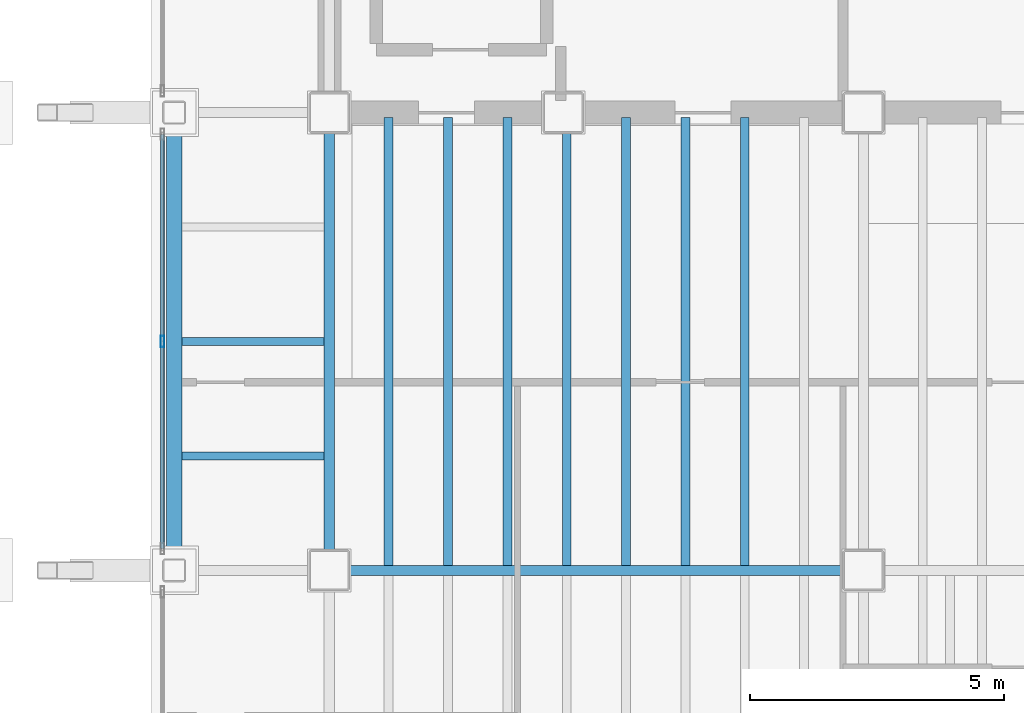
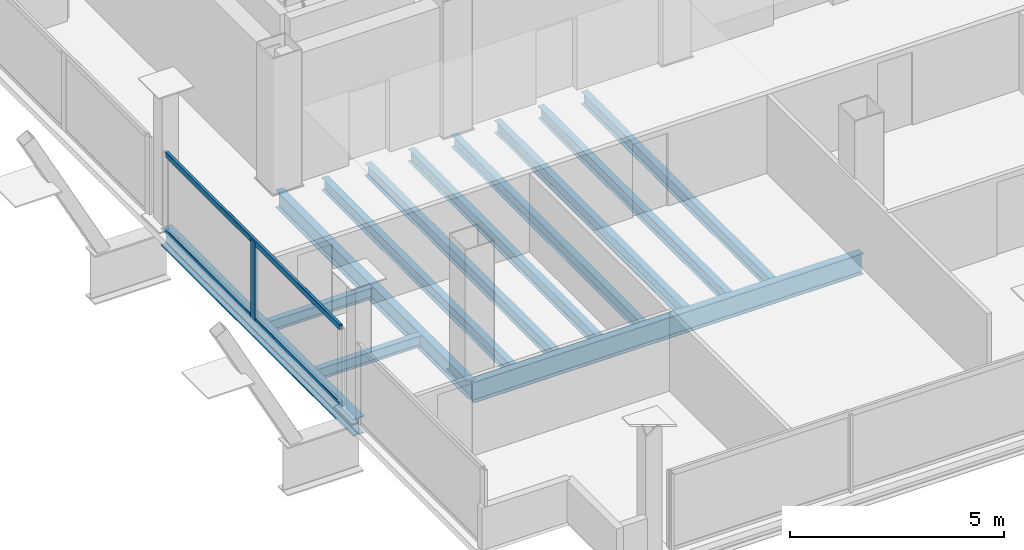
# One storey, part 3 of 17: 12 beams, 3 members, 1 element without a shape of its own.
"""IFC4 building model written with IfcOpenShell, lengths in metres."""

from ifc_helpers import new_model, si_unit, direction, frame, origin, origin_2d, place, context, subcontext, project, spatial, hollow_rectangle, i_section, extrude, material, material_profile, profile_set, type_object, element, aggregate, save


model = new_model("IFC4")

# Units and contexts
model_context = context("Model", 3, precision=1e-05, world=origin(), true_north=direction((0.0, 1.0)))
body_context = subcontext(model_context, "Body", "Model", "MODEL_VIEW")
ifc_project = project(units=[si_unit("LENGTHUNIT", "METRE"), si_unit("AREAUNIT", "SQUARE_METRE"), si_unit("VOLUMEUNIT", "CUBIC_METRE"), si_unit("PLANEANGLEUNIT", "RADIAN"), si_unit("MASSUNIT", "GRAM", prefix="KILO")], contexts=[model_context])

# Site, building, storey
site_placement = place(None, origin())
site = spatial("IfcSite", under=ifc_project, at=site_placement, CompositionType="ELEMENT")
building_placement = place(site_placement, origin())
building = spatial("IfcBuilding", under=site, at=building_placement, Name="Noeulbin Bourse Tower", CompositionType="ELEMENT")
storey_placement = place(building_placement, frame((0.0, 0.0, 226.699951171875)))
storey = spatial("IfcBuildingStorey", under=building, at=storey_placement, Name="L56", CompositionType="ELEMENT", Elevation=226.699951171875)

# Beams
ifc_material_1 = material(Name="Steel S355", Category="steel")
ifc_material_profile_1 = material_profile(ifc_material_1, i_section(OverallWidth=0.199951171875, OverallDepth=0.5, WebThickness=0.010009765625, FlangeThickness=0.01611328125, FilletRadius=0.02001953125, at=origin_2d()), Name="H-500x200x10x16", Category="LoadBearing")
ifc_profile_set_1 = profile_set([ifc_material_profile_1], Name="Steel S355")
beam_type_1 = type_object("IfcBeamType", Name="BM-GRD-500", PredefinedType="USERDEFINED", material=ifc_profile_set_1)
beam_1_placement = place(storey_placement, frame((13.5, 20.0, -0.429931640625), z_axis=(0.0, 1.0, 0.0), x_axis=(-1.0, 0.0, 0.0)))
element("IfcBeam", 1, at=beam_1_placement, inside=storey, type_object=beam_type_1, Name="Tower Primary Girder NS L56-1.2", ObjectType="GIRDER", PredefinedType="USERDEFINED", context=body_context, shape_type="SweptSolid", body=[
    extrude(i_section(OverallWidth=0.199951171875, OverallDepth=0.5, WebThickness=0.010009765625, FlangeThickness=0.01611328125, FilletRadius=0.02001953125, at=origin_2d()), origin(), (0.0, 0.0, 1.0), 9.0),
])
ifc_material_profile_2 = material_profile(ifc_material_1, i_section(OverallWidth=0.199951171875, OverallDepth=0.60009765625, WebThickness=0.010986328125, FlangeThickness=0.01708984375, FilletRadius=0.02197265625, at=origin_2d()), Name="H-600x200x11x17", Category="LoadBearing")
ifc_profile_set_2 = profile_set([ifc_material_profile_2], Name="Steel S355")
beam_type_2 = type_object("IfcBeamType", Name="BM-GRD-600", PredefinedType="USERDEFINED", material=ifc_profile_set_2)
beam_2_placement = place(storey_placement, frame((13.5, 20.0, -0.47998046875), z_axis=(1.0, 0.0, 0.0), x_axis=(0.0, 1.0, 0.0)))
element("IfcBeam", 2, at=beam_2_placement, inside=storey, type_object=beam_type_2, Name="Tower Primary Girder EW L56-1.2", ObjectType="GIRDER", PredefinedType="USERDEFINED", context=body_context, shape_type="SweptSolid", body=[
    extrude(i_section(OverallWidth=0.199951171875, OverallDepth=0.60009765625, WebThickness=0.010986328125, FlangeThickness=0.01708984375, FilletRadius=0.02197265625, at=origin_2d()), origin(), (0.0, 0.0, 1.0), 10.5),
])
ifc_material_profile_3 = material_profile(ifc_material_1, i_section(OverallWidth=0.159912109375, OverallDepth=0.320068359375, WebThickness=0.006591796875, FlangeThickness=0.010009765625, FilletRadius=0.012939453125, at=origin_2d()), Name="H-320x160x6.5x10", Category="LoadBearing")
ifc_profile_set_3 = profile_set([ifc_material_profile_3], Name="Steel S355")
beam_type_3 = type_object("IfcBeamType", Name="BM-JST-320", PredefinedType="JOIST", material=ifc_profile_set_3)
for number, where, z_axis, x_axis, name in (
    (3, (10.60009765625, 22.25, -0.33984375), (1.0, 0.0, 0.0), (0.0, 1.0, 0.0), "Wing Composite Joist L56-W47"),
    (4, (10.60009765625, 24.5, -0.33984375), (1.0, 0.0, 0.0), (0.0, 1.0, 0.0), "Wing Composite Joist L56-W48"),
):
    element("IfcBeam", number, at=place(storey_placement, frame(where, z_axis=z_axis, x_axis=x_axis)), inside=storey, type_object=beam_type_3, Name=name, PredefinedType="JOIST", context=body_context, shape_type="SweptSolid", body=[
        extrude(i_section(OverallWidth=0.159912109375, OverallDepth=0.320068359375, WebThickness=0.006591796875, FlangeThickness=0.010009765625, FilletRadius=0.012939453125, at=origin_2d()), origin(), (0.0, 0.0, 1.0), 2.7998046875),
    ])
ifc_material_profile_4 = material_profile(ifc_material_1, i_section(OverallWidth=0.175048828125, OverallDepth=0.35009765625, WebThickness=0.007080078125, FlangeThickness=0.010986328125, FilletRadius=0.013916015625, at=origin_2d()), Name="H-350x175x7x11", Category="LoadBearing")
ifc_profile_set_4 = profile_set([ifc_material_profile_4], Name="Steel S355")
beam_type_4 = type_object("IfcBeamType", Name="BM-JST-350", PredefinedType="JOIST", material=ifc_profile_set_4)
for number, where, z_axis, x_axis, name in (
    (5, (14.666748046875, 20.10009765625, -0.35498046875), (0.0, 1.0, 0.0), (-1.0, 0.0, 0.0), "Tower Composite Joist L56-02"),
    (6, (15.833251953125, 20.10009765625, -0.35498046875), (0.0, 1.0, 0.0), (-1.0, 0.0, 0.0), "Tower Composite Joist L56-04"),
    (7, (17.0, 20.10009765625, -0.35498046875), (0.0, 1.0, 0.0), (-1.0, 0.0, 0.0), "Tower Composite Joist L56-06"),
    (8, (18.166748046875, 20.10009765625, -0.35498046875), (0.0, 1.0, 0.0), (-1.0, 0.0, 0.0), "Tower Composite Joist L56-08"),
    (9, (19.333251953125, 20.10009765625, -0.35498046875), (0.0, 1.0, 0.0), (-1.0, 0.0, 0.0), "Tower Composite Joist L56-10"),
    (10, (20.5, 20.10009765625, -0.35498046875), (0.0, 1.0, 0.0), (-1.0, 0.0, 0.0), "Tower Composite Joist L56-12"),
    (11, (21.666748046875, 20.10009765625, -0.35498046875), (0.0, 1.0, 0.0), (-1.0, 0.0, 0.0), "Tower Composite Joist L56-14"),
):
    element("IfcBeam", number, at=place(storey_placement, frame(where, z_axis=z_axis, x_axis=x_axis)), inside=storey, type_object=beam_type_4, Name=name, PredefinedType="JOIST", context=body_context, shape_type="SweptSolid", body=[
        extrude(i_section(OverallWidth=0.175048828125, OverallDepth=0.35009765625, WebThickness=0.007080078125, FlangeThickness=0.010986328125, FilletRadius=0.013916015625, at=origin_2d()), origin(), (0.0, 0.0, 1.0), 8.7998046875),
    ])
ifc_material_profile_5 = material_profile(ifc_material_1, i_section(OverallWidth=0.300048828125, OverallDepth=0.488037109375, WebThickness=0.010986328125, FlangeThickness=0.01806640625, FilletRadius=0.02197265625, at=origin_2d()), Name="H-488x300x11x18", Category="LoadBearing")
ifc_profile_set_5 = profile_set([ifc_material_profile_5], Name="Steel S355")
beam_type_5 = type_object("IfcBeamType", Name="BM-SPN-488", PredefinedType="SPANDREL", material=ifc_profile_set_5)
beam_3_placement = place(storey_placement, frame((10.449951171875, 20.0, -0.424072265625), z_axis=(0.0, 1.0, 0.0), x_axis=(-1.0, 0.0, 0.0)))
element("IfcBeam", 12, at=beam_3_placement, inside=storey, type_object=beam_type_5, Name="West Spandrel L56-1", PredefinedType="SPANDREL", context=body_context, shape_type="SweptSolid", body=[
    extrude(i_section(OverallWidth=0.300048828125, OverallDepth=0.488037109375, WebThickness=0.010986328125, FlangeThickness=0.01806640625, FilletRadius=0.02197265625, at=origin_2d()), origin(), (0.0, 0.0, 1.0), 9.0),
])

# Curtain wall, members
ifc_material_2 = material(Name="High-Selectivity Low-Iron Glazing", Category="glass")
curtain_wall_type = type_object("IfcCurtainWallType", Name="CW-SYS-4", PredefinedType="NOTDEFINED", material=ifc_material_2)
curtain_wall_placement = place(storey_placement, origin())
curtain_wall = element("IfcCurtainWall", 13, at=curtain_wall_placement, inside=storey, type_object=curtain_wall_type, Name="Unitised Curtain Wall CW-L56-W-S2", PredefinedType="NOTDEFINED")
ifc_material_3 = material(Name="Anodised Aluminium 6063-T6", Category="aluminium")
ifc_material_profile_6 = material_profile(ifc_material_3, hollow_rectangle(XDim=0.074951171875, YDim=0.219970703125, WallThickness=0.0048828125, InnerFilletRadius=0.00244140625, OuterFilletRadius=0.0048828125, at=origin_2d()), Name="ALU-MULL-75x220x5", Category="LoadBearing")
ifc_profile_set_6 = profile_set([ifc_material_profile_6], Name="Anodised Aluminium 6063-T6")
member_type_1 = type_object("IfcMemberType", Name="CW-SYS-4-MUL", PredefinedType="MULLION", material=ifc_profile_set_6)
member_1_placement = place(storey_placement, frame((10.219970703125, 24.5, -0.02001953125), z_axis=(0.0, 0.0, 1.0), x_axis=(1.0, 0.0, 0.0)))
member_1 = element("IfcMember", 14, at=member_1_placement, type_object=member_type_1, Name="Curtain Wall Mullion CW-L56-W-S2-M01", PredefinedType="MULLION", context=body_context, shape_type="SweptSolid", body=[
    extrude(hollow_rectangle(XDim=0.074951171875, YDim=0.219970703125, WallThickness=0.0048828125, InnerFilletRadius=0.00244140625, OuterFilletRadius=0.0048828125, at=origin_2d()), origin(), (0.0, 0.0, 1.0), 2.260009765625),
])
ifc_material_profile_7 = material_profile(ifc_material_3, hollow_rectangle(XDim=0.074951171875, YDim=0.159912109375, WallThickness=0.0048828125, InnerFilletRadius=0.00244140625, OuterFilletRadius=0.0048828125, at=origin_2d()), Name="ALU-TRAN-75x160x5", Category="LoadBearing")
ifc_profile_set_7 = profile_set([ifc_material_profile_7], Name="Anodised Aluminium 6063-T6")
member_type_2 = type_object("IfcMemberType", Name="CW-SYS-4-TRN", PredefinedType="USERDEFINED", material=ifc_profile_set_7)
member_2_placement = place(storey_placement, frame((10.219970703125, 20.43505859375, 0.010009765625), z_axis=(0.0, 1.0, 0.0), x_axis=(-1.0, 0.0, 0.0)))
member_2 = element("IfcMember", 15, at=member_2_placement, type_object=member_type_2, Name="Curtain Wall Transom CW-L56-W-S2-T00", ObjectType="TRANSOM", PredefinedType="USERDEFINED", context=body_context, shape_type="SweptSolid", body=[
    extrude(hollow_rectangle(XDim=0.074951171875, YDim=0.159912109375, WallThickness=0.0048828125, InnerFilletRadius=0.00244140625, OuterFilletRadius=0.0048828125, at=origin_2d()), origin(), (0.0, 0.0, 1.0), 8.1298828125),
])
member_3_placement = place(storey_placement, frame((10.219970703125, 20.43505859375, 2.2099609375), z_axis=(0.0, 1.0, 0.0), x_axis=(-1.0, 0.0, 0.0)))
member_3 = element("IfcMember", 16, at=member_3_placement, type_object=member_type_2, Name="Curtain Wall Transom CW-L56-W-S2-T01", ObjectType="TRANSOM", PredefinedType="USERDEFINED", context=body_context, shape_type="SweptSolid", body=[
    extrude(hollow_rectangle(XDim=0.074951171875, YDim=0.159912109375, WallThickness=0.0048828125, InnerFilletRadius=0.00244140625, OuterFilletRadius=0.0048828125, at=origin_2d()), origin(), (0.0, 0.0, 1.0), 8.1298828125),
])
aggregate(curtain_wall, [member_1, member_2, member_3])

save(model, "model.ifc")
